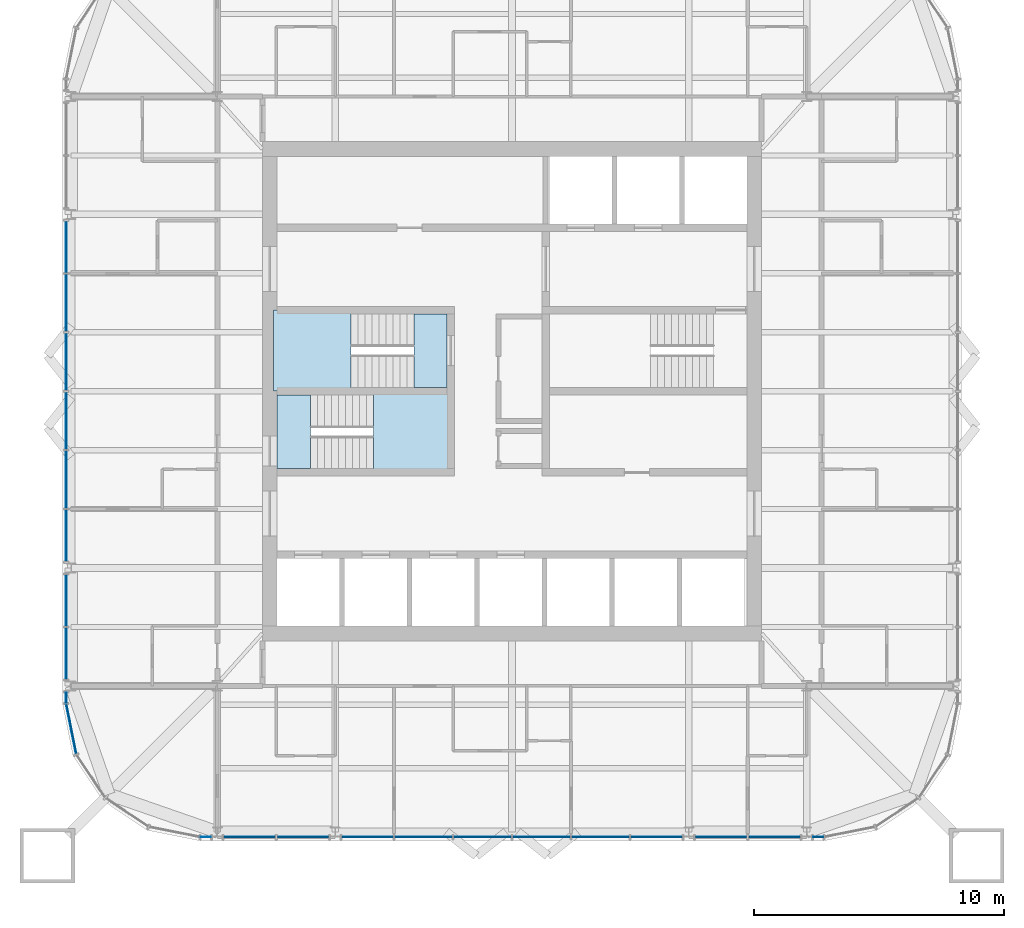
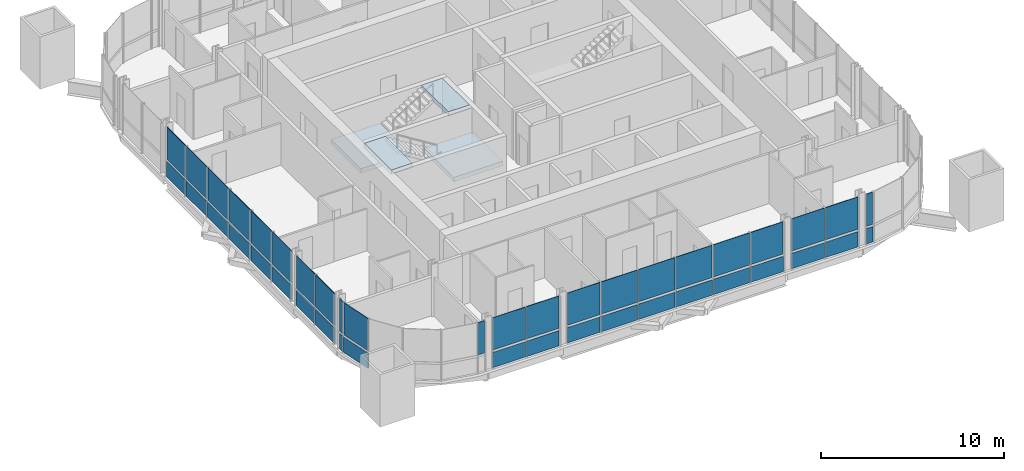
# One storey, part 8 of 17: 43 plates, 4 slabs, 11 elements without a shape of their own.
"""IFC4 building model written with IfcOpenShell, lengths in metres."""

from ifc_helpers import new_model, si_unit, direction, frame, origin, origin_2d, place, context, subcontext, project, spatial, polyline, rectangle, outline, extrude, material, layer, layer_set, type_object, element, aggregate, save


model = new_model("IFC4")

# Units and contexts
model_context = context("Model", 3, precision=1e-05, world=origin(), true_north=direction((0.0, 1.0)))
body_context = subcontext(model_context, "Body", "Model", "MODEL_VIEW")
ifc_project = project(units=[si_unit("LENGTHUNIT", "METRE"), si_unit("AREAUNIT", "SQUARE_METRE"), si_unit("VOLUMEUNIT", "CUBIC_METRE"), si_unit("PLANEANGLEUNIT", "RADIAN"), si_unit("MASSUNIT", "GRAM", prefix="KILO")], contexts=[model_context])

# Site, building, storey
site_placement = place(None, origin())
site = spatial("IfcSite", under=ifc_project, at=site_placement, CompositionType="ELEMENT")
building_placement = place(site_placement, origin())
building = spatial("IfcBuilding", under=site, at=building_placement, Name="Turquesa Mirador Hotel Tower", CompositionType="ELEMENT")
storey_placement = place(building_placement, frame((0.0, 0.0, 251.199951171875)))
storey = spatial("IfcBuildingStorey", under=building, at=storey_placement, Name="L68", CompositionType="ELEMENT", Elevation=251.199951171875)

# Curtain wall, plates
ifc_material_1 = material(Name="Aluminium extrusion", Category="aluminium")
curtain_wall_type = type_object("IfcCurtainWallType", Name="CW-4 SUITE FRITTED CURTAIN WALL", PredefinedType="USERDEFINED", material=ifc_material_1)
curtain_wall_1_placement = place(storey_placement, origin())
curtain_wall_1 = element("IfcCurtainWall", 1, at=curtain_wall_1_placement, inside=storey, type_object=curtain_wall_type, Name="CW-4 SUITE FRITTED CURTAIN WALL L68", ObjectType="CURTAIN WALL", PredefinedType="USERDEFINED")
ifc_material_2 = material(Name="Ceramic-printed spandrel glass on an insulated back pan", Category="glass")
ifc_layer_1 = layer(ifc_material_2, 0.050048828125)
ifc_layer_set_1 = layer_set([ifc_layer_1], Name="CW PANEL SPANDREL CERAMIC")
plate_type_1 = type_object("IfcPlateType", Name="CW PANEL SPANDREL CERAMIC", PredefinedType="CURTAIN_PANEL", material=ifc_layer_set_1)
plate_1_placement = place(storey_placement, frame((37.14990234375, 50.782958984375, 0.0), z_axis=(0.0, 0.0, 1.0), x_axis=(0.0, -1.0, 0.0)))
plate_1 = element("IfcPlate", 2, at=plate_1_placement, type_object=plate_type_1, Name="Panel", PredefinedType="CURTAIN_PANEL", context=body_context, shape_type="SweptSolid", body=[
    extrude(rectangle(XDim=2.06103515625, YDim=0.050048828125, at=origin_2d()), origin(), (0.0, 0.0, 1.0), 1.02490234375),
])
plate_2_placement = place(storey_placement, frame((37.14990234375, 48.5400390625, 0.0), z_axis=(0.0, 0.0, 1.0), x_axis=(0.0, -1.0, 0.0)))
plate_2 = element("IfcPlate", 3, at=plate_2_placement, type_object=plate_type_1, Name="Panel", PredefinedType="CURTAIN_PANEL", context=body_context, shape_type="SweptSolid", body=[
    extrude(rectangle(XDim=2.294921875, YDim=0.050048828125, at=origin_2d()), origin(), (0.0, 0.0, 1.0), 1.02490234375),
])
plate_3_placement = place(storey_placement, frame((37.14990234375, 46.179931640625, 0.0), z_axis=(0.0, 0.0, 1.0), x_axis=(0.0, -1.0, 0.0)))
plate_3 = element("IfcPlate", 4, at=plate_3_placement, type_object=plate_type_1, Name="Panel", PredefinedType="CURTAIN_PANEL", context=body_context, shape_type="SweptSolid", body=[
    extrude(rectangle(XDim=2.294921875, YDim=0.050048828125, at=origin_2d()), origin(), (0.0, 0.0, 1.0), 1.02490234375),
])
plate_4_placement = place(storey_placement, frame((37.14990234375, 43.820068359375, 0.0), z_axis=(0.0, 0.0, 1.0), x_axis=(0.0, -1.0, 0.0)))
plate_4 = element("IfcPlate", 5, at=plate_4_placement, type_object=plate_type_1, Name="Panel", PredefinedType="CURTAIN_PANEL", context=body_context, shape_type="SweptSolid", body=[
    extrude(rectangle(XDim=2.294921875, YDim=0.050048828125, at=origin_2d()), origin(), (0.0, 0.0, 1.0), 1.02490234375),
])
plate_5_placement = place(storey_placement, frame((37.14990234375, 41.4599609375, 0.0), z_axis=(0.0, 0.0, 1.0), x_axis=(0.0, -1.0, 0.0)))
plate_5 = element("IfcPlate", 6, at=plate_5_placement, type_object=plate_type_1, Name="Panel", PredefinedType="CURTAIN_PANEL", context=body_context, shape_type="SweptSolid", body=[
    extrude(rectangle(XDim=2.294921875, YDim=0.050048828125, at=origin_2d()), origin(), (0.0, 0.0, 1.0), 1.02490234375),
])
plate_6_placement = place(storey_placement, frame((37.14990234375, 39.217041015625, 0.0), z_axis=(0.0, 0.0, 1.0), x_axis=(0.0, -1.0, 0.0)))
plate_6 = element("IfcPlate", 7, at=plate_6_placement, type_object=plate_type_1, Name="Panel", PredefinedType="CURTAIN_PANEL", context=body_context, shape_type="SweptSolid", body=[
    extrude(rectangle(XDim=2.06103515625, YDim=0.050048828125, at=origin_2d()), origin(), (0.0, 0.0, 1.0), 1.02490234375),
])

curtain_wall_2_placement = place(storey_placement, origin())
curtain_wall_2 = element("IfcCurtainWall", 8, at=curtain_wall_2_placement, inside=storey, type_object=curtain_wall_type, Name="CW-4 SUITE FRITTED CURTAIN WALL L68", ObjectType="CURTAIN WALL", PredefinedType="USERDEFINED")
plate_7_placement = place(storey_placement, frame((37.14990234375, 36.623046875, 0.0), z_axis=(0.0, 0.0, 1.0), x_axis=(0.0, -1.0, 0.0)))
plate_7 = element("IfcPlate", 9, at=plate_7_placement, type_object=plate_type_1, Name="Panel", PredefinedType="CURTAIN_PANEL", context=body_context, shape_type="SweptSolid", body=[
    extrude(rectangle(XDim=2.06103515625, YDim=0.050048828125, at=origin_2d()), origin(), (0.0, 0.0, 1.0), 1.02490234375),
])
plate_8_placement = place(storey_placement, frame((37.14990234375, 34.496826171875, 0.0), z_axis=(0.0, 0.0, 1.0), x_axis=(0.0, -1.0, 0.0)))
plate_8 = element("IfcPlate", 10, at=plate_8_placement, type_object=plate_type_1, Name="Panel", PredefinedType="CURTAIN_PANEL", context=body_context, shape_type="SweptSolid", body=[
    extrude(rectangle(XDim=2.06103515625, YDim=0.050048828125, at=origin_2d()), origin(), (0.0, 0.0, 1.0), 1.02490234375),
])

# Curtain wall, plate
curtain_wall_3_placement = place(storey_placement, origin())
curtain_wall_3 = element("IfcCurtainWall", 11, at=curtain_wall_3_placement, inside=storey, type_object=curtain_wall_type, Name="CW-4 SUITE FRITTED CURTAIN WALL L68", ObjectType="CURTAIN WALL", PredefinedType="USERDEFINED")
plate_9_placement = place(storey_placement, frame((37.14990234375, 32.733154296875, 0.0), z_axis=(0.0, 0.0, 1.0), x_axis=(0.0, -1.0, 0.0)))
plate_9 = element("IfcPlate", 12, at=plate_9_placement, type_object=plate_type_1, Name="Panel", PredefinedType="CURTAIN_PANEL", context=body_context, shape_type="SweptSolid", body=[
    extrude(rectangle(XDim=0.401123046875, YDim=0.050048828125, at=origin_2d()), origin(), (0.0, 0.0, 1.0), 1.02490234375),
])

curtain_wall_4_placement = place(storey_placement, origin())
curtain_wall_4 = element("IfcCurtainWall", 13, at=curtain_wall_4_placement, inside=storey, type_object=curtain_wall_type, Name="CW-4 SUITE FRITTED CURTAIN WALL L68", ObjectType="CURTAIN WALL", PredefinedType="USERDEFINED")
plate_10_placement = place(storey_placement, frame((37.353515625, 31.476318359375, 0.0), z_axis=(0.0, 0.0, 1.0), x_axis=(0.195090585221, -0.980785228048, 0.0)))
plate_10 = element("IfcPlate", 14, at=plate_10_placement, type_object=plate_type_1, Name="Panel", PredefinedType="CURTAIN_PANEL", context=body_context, shape_type="SweptSolid", body=[
    extrude(rectangle(XDim=2.0224609375, YDim=0.050048828125, at=origin_2d()), origin(), (0.0, 0.0, 1.0), 1.02490234375),
])

# Curtain wall, plates
curtain_wall_5_placement = place(storey_placement, origin())
curtain_wall_5 = element("IfcCurtainWall", 15, at=curtain_wall_5_placement, inside=storey, type_object=curtain_wall_type, Name="CW-4 SUITE FRITTED CURTAIN WALL L68", ObjectType="CURTAIN WALL", PredefinedType="USERDEFINED")
plate_11_placement = place(storey_placement, frame((44.496826171875, 27.14990234375, 0.0), z_axis=(0.0, 0.0, 1.0), x_axis=(1.0, 0.0, 0.0)))
plate_11 = element("IfcPlate", 16, at=plate_11_placement, type_object=plate_type_1, Name="Panel", PredefinedType="CURTAIN_PANEL", context=body_context, shape_type="SweptSolid", body=[
    extrude(rectangle(XDim=2.06103515625, YDim=0.050048828125, at=origin_2d()), origin(), (0.0, 0.0, 1.0), 1.02490234375),
])
plate_12_placement = place(storey_placement, frame((46.623046875, 27.14990234375, 0.0), z_axis=(0.0, 0.0, 1.0), x_axis=(1.0, 0.0, 0.0)))
plate_12 = element("IfcPlate", 17, at=plate_12_placement, type_object=plate_type_1, Name="Panel", PredefinedType="CURTAIN_PANEL", context=body_context, shape_type="SweptSolid", body=[
    extrude(rectangle(XDim=2.06103515625, YDim=0.050048828125, at=origin_2d()), origin(), (0.0, 0.0, 1.0), 1.02490234375),
])

curtain_wall_6_placement = place(storey_placement, origin())
curtain_wall_6 = element("IfcCurtainWall", 18, at=curtain_wall_6_placement, inside=storey, type_object=curtain_wall_type, Name="CW-4 SUITE FRITTED CURTAIN WALL L68", ObjectType="CURTAIN WALL", PredefinedType="USERDEFINED")
plate_13_placement = place(storey_placement, frame((49.217041015625, 27.14990234375, 0.0), z_axis=(0.0, 0.0, 1.0), x_axis=(1.0, 0.0, 0.0)))
plate_13 = element("IfcPlate", 19, at=plate_13_placement, type_object=plate_type_1, Name="Panel", PredefinedType="CURTAIN_PANEL", context=body_context, shape_type="SweptSolid", body=[
    extrude(rectangle(XDim=2.06103515625, YDim=0.050048828125, at=origin_2d()), origin(), (0.0, 0.0, 1.0), 1.02490234375),
])
plate_14_placement = place(storey_placement, frame((51.4599609375, 27.14990234375, 0.0), z_axis=(0.0, 0.0, 1.0), x_axis=(1.0, 0.0, 0.0)))
plate_14 = element("IfcPlate", 20, at=plate_14_placement, type_object=plate_type_1, Name="Panel", PredefinedType="CURTAIN_PANEL", context=body_context, shape_type="SweptSolid", body=[
    extrude(rectangle(XDim=2.294921875, YDim=0.050048828125, at=origin_2d()), origin(), (0.0, 0.0, 1.0), 1.02490234375),
])
plate_15_placement = place(storey_placement, frame((53.820068359375, 27.14990234375, 0.0), z_axis=(0.0, 0.0, 1.0), x_axis=(1.0, 0.0, 0.0)))
plate_15 = element("IfcPlate", 21, at=plate_15_placement, type_object=plate_type_1, Name="Panel", PredefinedType="CURTAIN_PANEL", context=body_context, shape_type="SweptSolid", body=[
    extrude(rectangle(XDim=2.294921875, YDim=0.050048828125, at=origin_2d()), origin(), (0.0, 0.0, 1.0), 1.02490234375),
])
plate_16_placement = place(storey_placement, frame((56.179931640625, 27.14990234375, 0.0), z_axis=(0.0, 0.0, 1.0), x_axis=(1.0, 0.0, 0.0)))
plate_16 = element("IfcPlate", 22, at=plate_16_placement, type_object=plate_type_1, Name="Panel", PredefinedType="CURTAIN_PANEL", context=body_context, shape_type="SweptSolid", body=[
    extrude(rectangle(XDim=2.294921875, YDim=0.050048828125, at=origin_2d()), origin(), (0.0, 0.0, 1.0), 1.02490234375),
])
plate_17_placement = place(storey_placement, frame((58.5400390625, 27.14990234375, 0.0), z_axis=(0.0, 0.0, 1.0), x_axis=(1.0, 0.0, 0.0)))
plate_17 = element("IfcPlate", 23, at=plate_17_placement, type_object=plate_type_1, Name="Panel", PredefinedType="CURTAIN_PANEL", context=body_context, shape_type="SweptSolid", body=[
    extrude(rectangle(XDim=2.294921875, YDim=0.050048828125, at=origin_2d()), origin(), (0.0, 0.0, 1.0), 1.02490234375),
])
plate_18_placement = place(storey_placement, frame((60.782958984375, 27.14990234375, 0.0), z_axis=(0.0, 0.0, 1.0), x_axis=(1.0, 0.0, 0.0)))
plate_18 = element("IfcPlate", 24, at=plate_18_placement, type_object=plate_type_1, Name="Panel", PredefinedType="CURTAIN_PANEL", context=body_context, shape_type="SweptSolid", body=[
    extrude(rectangle(XDim=2.06103515625, YDim=0.050048828125, at=origin_2d()), origin(), (0.0, 0.0, 1.0), 1.02490234375),
])

curtain_wall_7_placement = place(storey_placement, origin())
curtain_wall_7 = element("IfcCurtainWall", 25, at=curtain_wall_7_placement, inside=storey, type_object=curtain_wall_type, Name="CW-4 SUITE FRITTED CURTAIN WALL L68", ObjectType="CURTAIN WALL", PredefinedType="USERDEFINED")
plate_19_placement = place(storey_placement, frame((63.376953125, 27.14990234375, 0.0), z_axis=(0.0, 0.0, 1.0), x_axis=(1.0, 0.0, 0.0)))
plate_19 = element("IfcPlate", 26, at=plate_19_placement, type_object=plate_type_1, Name="Panel", PredefinedType="CURTAIN_PANEL", context=body_context, shape_type="SweptSolid", body=[
    extrude(rectangle(XDim=2.06103515625, YDim=0.050048828125, at=origin_2d()), origin(), (0.0, 0.0, 1.0), 1.02490234375),
])
plate_20_placement = place(storey_placement, frame((65.503173828125, 27.14990234375, 0.0), z_axis=(0.0, 0.0, 1.0), x_axis=(1.0, 0.0, 0.0)))
plate_20 = element("IfcPlate", 27, at=plate_20_placement, type_object=plate_type_1, Name="Panel", PredefinedType="CURTAIN_PANEL", context=body_context, shape_type="SweptSolid", body=[
    extrude(rectangle(XDim=2.06103515625, YDim=0.050048828125, at=origin_2d()), origin(), (0.0, 0.0, 1.0), 1.02490234375),
])

# Curtain wall, plate
curtain_wall_8_placement = place(storey_placement, origin())
curtain_wall_8 = element("IfcCurtainWall", 28, at=curtain_wall_8_placement, inside=storey, type_object=curtain_wall_type, Name="CW-4 SUITE FRITTED CURTAIN WALL L68", ObjectType="CURTAIN WALL", PredefinedType="USERDEFINED")
plate_21_placement = place(storey_placement, frame((67.266845703125, 27.14990234375, 0.0), z_axis=(0.0, 0.0, 1.0), x_axis=(1.0, 0.0, 0.0)))
plate_21 = element("IfcPlate", 29, at=plate_21_placement, type_object=plate_type_1, Name="Panel", PredefinedType="CURTAIN_PANEL", context=body_context, shape_type="SweptSolid", body=[
    extrude(rectangle(XDim=0.401123046875, YDim=0.050048828125, at=origin_2d()), origin(), (0.0, 0.0, 1.0), 1.02490234375),
])

# Plate
ifc_material_3 = material(Name="Ceramic-fritted laminated glass", Category="glass")
ifc_layer_2 = layer(ifc_material_3, 0.031982421875)
ifc_layer_set_2 = layer_set([ifc_layer_2], Name="CW PANEL VISION FRITTED")
plate_type_2 = type_object("IfcPlateType", Name="CW PANEL VISION FRITTED", PredefinedType="CURTAIN_PANEL", material=ifc_layer_set_2)
plate_22_placement = place(storey_placement, frame((37.14990234375, 50.782958984375, 1.1748046875), z_axis=(0.0, 0.0, 1.0), x_axis=(0.0, -1.0, 0.0)))
plate_22 = element("IfcPlate", 30, at=plate_22_placement, type_object=plate_type_2, Name="Panel", PredefinedType="CURTAIN_PANEL", context=body_context, shape_type="SweptSolid", body=[
    extrude(rectangle(XDim=2.06103515625, YDim=0.031982421875, at=origin_2d()), origin(), (0.0, 0.0, 1.0), 2.155029296875),
])

plate_23_placement = place(storey_placement, frame((37.14990234375, 48.5400390625, 1.1748046875), z_axis=(0.0, 0.0, 1.0), x_axis=(0.0, -1.0, 0.0)))
plate_23 = element("IfcPlate", 31, at=plate_23_placement, type_object=plate_type_2, Name="Panel", PredefinedType="CURTAIN_PANEL", context=body_context, shape_type="SweptSolid", body=[
    extrude(rectangle(XDim=2.294921875, YDim=0.031982421875, at=origin_2d()), origin(), (0.0, 0.0, 1.0), 2.155029296875),
])

plate_24_placement = place(storey_placement, frame((37.14990234375, 46.179931640625, 1.1748046875), z_axis=(0.0, 0.0, 1.0), x_axis=(0.0, -1.0, 0.0)))
plate_24 = element("IfcPlate", 32, at=plate_24_placement, type_object=plate_type_2, Name="Panel", PredefinedType="CURTAIN_PANEL", context=body_context, shape_type="SweptSolid", body=[
    extrude(rectangle(XDim=2.294921875, YDim=0.031982421875, at=origin_2d()), origin(), (0.0, 0.0, 1.0), 2.155029296875),
])

plate_25_placement = place(storey_placement, frame((37.14990234375, 43.820068359375, 1.1748046875), z_axis=(0.0, 0.0, 1.0), x_axis=(0.0, -1.0, 0.0)))
plate_25 = element("IfcPlate", 33, at=plate_25_placement, type_object=plate_type_2, Name="Panel", PredefinedType="CURTAIN_PANEL", context=body_context, shape_type="SweptSolid", body=[
    extrude(rectangle(XDim=2.294921875, YDim=0.031982421875, at=origin_2d()), origin(), (0.0, 0.0, 1.0), 2.155029296875),
])

plate_26_placement = place(storey_placement, frame((37.14990234375, 41.4599609375, 1.1748046875), z_axis=(0.0, 0.0, 1.0), x_axis=(0.0, -1.0, 0.0)))
plate_26 = element("IfcPlate", 34, at=plate_26_placement, type_object=plate_type_2, Name="Panel", PredefinedType="CURTAIN_PANEL", context=body_context, shape_type="SweptSolid", body=[
    extrude(rectangle(XDim=2.294921875, YDim=0.031982421875, at=origin_2d()), origin(), (0.0, 0.0, 1.0), 2.155029296875),
])

plate_27_placement = place(storey_placement, frame((37.14990234375, 39.217041015625, 1.1748046875), z_axis=(0.0, 0.0, 1.0), x_axis=(0.0, -1.0, 0.0)))
plate_27 = element("IfcPlate", 35, at=plate_27_placement, type_object=plate_type_2, Name="Panel", PredefinedType="CURTAIN_PANEL", context=body_context, shape_type="SweptSolid", body=[
    extrude(rectangle(XDim=2.06103515625, YDim=0.031982421875, at=origin_2d()), origin(), (0.0, 0.0, 1.0), 2.155029296875),
])

aggregate(curtain_wall_1, [plate_1, plate_22, plate_2, plate_23, plate_3, plate_24, plate_4, plate_25, plate_5, plate_26, plate_6, plate_27])

plate_28_placement = place(storey_placement, frame((37.14990234375, 36.623046875, 1.1748046875), z_axis=(0.0, 0.0, 1.0), x_axis=(0.0, -1.0, 0.0)))
plate_28 = element("IfcPlate", 36, at=plate_28_placement, type_object=plate_type_2, Name="Panel", PredefinedType="CURTAIN_PANEL", context=body_context, shape_type="SweptSolid", body=[
    extrude(rectangle(XDim=2.06103515625, YDim=0.031982421875, at=origin_2d()), origin(), (0.0, 0.0, 1.0), 2.155029296875),
])

plate_29_placement = place(storey_placement, frame((37.14990234375, 34.496826171875, 1.1748046875), z_axis=(0.0, 0.0, 1.0), x_axis=(0.0, -1.0, 0.0)))
plate_29 = element("IfcPlate", 37, at=plate_29_placement, type_object=plate_type_2, Name="Panel", PredefinedType="CURTAIN_PANEL", context=body_context, shape_type="SweptSolid", body=[
    extrude(rectangle(XDim=2.06103515625, YDim=0.031982421875, at=origin_2d()), origin(), (0.0, 0.0, 1.0), 2.155029296875),
])

aggregate(curtain_wall_2, [plate_7, plate_28, plate_8, plate_29])

plate_30_placement = place(storey_placement, frame((37.14990234375, 32.733154296875, 1.1748046875), z_axis=(0.0, 0.0, 1.0), x_axis=(0.0, -1.0, 0.0)))
plate_30 = element("IfcPlate", 38, at=plate_30_placement, type_object=plate_type_2, Name="Panel", PredefinedType="CURTAIN_PANEL", context=body_context, shape_type="SweptSolid", body=[
    extrude(rectangle(XDim=0.401123046875, YDim=0.031982421875, at=origin_2d()), origin(), (0.0, 0.0, 1.0), 2.155029296875),
])

aggregate(curtain_wall_3, [plate_9, plate_30])

plate_31_placement = place(storey_placement, frame((37.353515625, 31.476318359375, 1.1748046875), z_axis=(0.0, 0.0, 1.0), x_axis=(0.195090585221, -0.980785228048, 0.0)))
plate_31 = element("IfcPlate", 39, at=plate_31_placement, type_object=plate_type_2, Name="Panel", PredefinedType="CURTAIN_PANEL", context=body_context, shape_type="SweptSolid", body=[
    extrude(rectangle(XDim=2.0224609375, YDim=0.031982421875, at=origin_2d()), origin(), (0.0, 0.0, 1.0), 2.155029296875),
])

aggregate(curtain_wall_4, [plate_10, plate_31])

# Curtain wall, plate
curtain_wall_9_placement = place(storey_placement, origin())
curtain_wall_9 = element("IfcCurtainWall", 40, at=curtain_wall_9_placement, inside=storey, type_object=curtain_wall_type, Name="CW-4 SUITE FRITTED CURTAIN WALL L68", ObjectType="CURTAIN WALL", PredefinedType="USERDEFINED")
plate_32_placement = place(storey_placement, frame((42.733154296875, 27.14990234375, 1.1748046875), z_axis=(0.0, 0.0, 1.0), x_axis=(1.0, 0.0, 0.0)))
plate_32 = element("IfcPlate", 41, at=plate_32_placement, type_object=plate_type_2, Name="Panel", PredefinedType="CURTAIN_PANEL", context=body_context, shape_type="SweptSolid", body=[
    extrude(rectangle(XDim=0.401123046875, YDim=0.031982421875, at=origin_2d()), origin(), (0.0, 0.0, 1.0), 2.155029296875),
])
aggregate(curtain_wall_9, [plate_32])

# Plate
plate_33_placement = place(storey_placement, frame((44.496826171875, 27.14990234375, 1.1748046875), z_axis=(0.0, 0.0, 1.0), x_axis=(1.0, 0.0, 0.0)))
plate_33 = element("IfcPlate", 42, at=plate_33_placement, type_object=plate_type_2, Name="Panel", PredefinedType="CURTAIN_PANEL", context=body_context, shape_type="SweptSolid", body=[
    extrude(rectangle(XDim=2.06103515625, YDim=0.031982421875, at=origin_2d()), origin(), (0.0, 0.0, 1.0), 2.155029296875),
])

plate_34_placement = place(storey_placement, frame((46.623046875, 27.14990234375, 1.1748046875), z_axis=(0.0, 0.0, 1.0), x_axis=(1.0, 0.0, 0.0)))
plate_34 = element("IfcPlate", 43, at=plate_34_placement, type_object=plate_type_2, Name="Panel", PredefinedType="CURTAIN_PANEL", context=body_context, shape_type="SweptSolid", body=[
    extrude(rectangle(XDim=2.06103515625, YDim=0.031982421875, at=origin_2d()), origin(), (0.0, 0.0, 1.0), 2.155029296875),
])

aggregate(curtain_wall_5, [plate_11, plate_33, plate_12, plate_34])

plate_35_placement = place(storey_placement, frame((49.217041015625, 27.14990234375, 1.1748046875), z_axis=(0.0, 0.0, 1.0), x_axis=(1.0, 0.0, 0.0)))
plate_35 = element("IfcPlate", 44, at=plate_35_placement, type_object=plate_type_2, Name="Panel", PredefinedType="CURTAIN_PANEL", context=body_context, shape_type="SweptSolid", body=[
    extrude(rectangle(XDim=2.06103515625, YDim=0.031982421875, at=origin_2d()), origin(), (0.0, 0.0, 1.0), 2.155029296875),
])

plate_36_placement = place(storey_placement, frame((51.4599609375, 27.14990234375, 1.1748046875), z_axis=(0.0, 0.0, 1.0), x_axis=(1.0, 0.0, 0.0)))
plate_36 = element("IfcPlate", 45, at=plate_36_placement, type_object=plate_type_2, Name="Panel", PredefinedType="CURTAIN_PANEL", context=body_context, shape_type="SweptSolid", body=[
    extrude(rectangle(XDim=2.294921875, YDim=0.031982421875, at=origin_2d()), origin(), (0.0, 0.0, 1.0), 2.155029296875),
])

plate_37_placement = place(storey_placement, frame((53.820068359375, 27.14990234375, 1.1748046875), z_axis=(0.0, 0.0, 1.0), x_axis=(1.0, 0.0, 0.0)))
plate_37 = element("IfcPlate", 46, at=plate_37_placement, type_object=plate_type_2, Name="Panel", PredefinedType="CURTAIN_PANEL", context=body_context, shape_type="SweptSolid", body=[
    extrude(rectangle(XDim=2.294921875, YDim=0.031982421875, at=origin_2d()), origin(), (0.0, 0.0, 1.0), 2.155029296875),
])

plate_38_placement = place(storey_placement, frame((56.179931640625, 27.14990234375, 1.1748046875), z_axis=(0.0, 0.0, 1.0), x_axis=(1.0, 0.0, 0.0)))
plate_38 = element("IfcPlate", 47, at=plate_38_placement, type_object=plate_type_2, Name="Panel", PredefinedType="CURTAIN_PANEL", context=body_context, shape_type="SweptSolid", body=[
    extrude(rectangle(XDim=2.294921875, YDim=0.031982421875, at=origin_2d()), origin(), (0.0, 0.0, 1.0), 2.155029296875),
])

plate_39_placement = place(storey_placement, frame((58.5400390625, 27.14990234375, 1.1748046875), z_axis=(0.0, 0.0, 1.0), x_axis=(1.0, 0.0, 0.0)))
plate_39 = element("IfcPlate", 48, at=plate_39_placement, type_object=plate_type_2, Name="Panel", PredefinedType="CURTAIN_PANEL", context=body_context, shape_type="SweptSolid", body=[
    extrude(rectangle(XDim=2.294921875, YDim=0.031982421875, at=origin_2d()), origin(), (0.0, 0.0, 1.0), 2.155029296875),
])

plate_40_placement = place(storey_placement, frame((60.782958984375, 27.14990234375, 1.1748046875), z_axis=(0.0, 0.0, 1.0), x_axis=(1.0, 0.0, 0.0)))
plate_40 = element("IfcPlate", 49, at=plate_40_placement, type_object=plate_type_2, Name="Panel", PredefinedType="CURTAIN_PANEL", context=body_context, shape_type="SweptSolid", body=[
    extrude(rectangle(XDim=2.06103515625, YDim=0.031982421875, at=origin_2d()), origin(), (0.0, 0.0, 1.0), 2.155029296875),
])

aggregate(curtain_wall_6, [plate_13, plate_35, plate_14, plate_36, plate_15, plate_37, plate_16, plate_38, plate_17, plate_39, plate_18, plate_40])

plate_41_placement = place(storey_placement, frame((63.376953125, 27.14990234375, 1.1748046875), z_axis=(0.0, 0.0, 1.0), x_axis=(1.0, 0.0, 0.0)))
plate_41 = element("IfcPlate", 50, at=plate_41_placement, type_object=plate_type_2, Name="Panel", PredefinedType="CURTAIN_PANEL", context=body_context, shape_type="SweptSolid", body=[
    extrude(rectangle(XDim=2.06103515625, YDim=0.031982421875, at=origin_2d()), origin(), (0.0, 0.0, 1.0), 2.155029296875),
])

plate_42_placement = place(storey_placement, frame((65.503173828125, 27.14990234375, 1.1748046875), z_axis=(0.0, 0.0, 1.0), x_axis=(1.0, 0.0, 0.0)))
plate_42 = element("IfcPlate", 51, at=plate_42_placement, type_object=plate_type_2, Name="Panel", PredefinedType="CURTAIN_PANEL", context=body_context, shape_type="SweptSolid", body=[
    extrude(rectangle(XDim=2.06103515625, YDim=0.031982421875, at=origin_2d()), origin(), (0.0, 0.0, 1.0), 2.155029296875),
])

aggregate(curtain_wall_7, [plate_19, plate_41, plate_20, plate_42])

plate_43_placement = place(storey_placement, frame((67.266845703125, 27.14990234375, 1.1748046875), z_axis=(0.0, 0.0, 1.0), x_axis=(1.0, 0.0, 0.0)))
plate_43 = element("IfcPlate", 52, at=plate_43_placement, type_object=plate_type_2, Name="Panel", PredefinedType="CURTAIN_PANEL", context=body_context, shape_type="SweptSolid", body=[
    extrude(rectangle(XDim=0.401123046875, YDim=0.031982421875, at=origin_2d()), origin(), (0.0, 0.0, 1.0), 2.155029296875),
])

aggregate(curtain_wall_8, [plate_21, plate_43])

# Stair, slabs
ifc_material_4 = material(Name="Concrete C35/45", Category="concrete")
stair_type = type_object("IfcStairType", Name="ESCAPE STAIR CORE", PredefinedType="HALF_TURN_STAIR", material=ifc_material_4)
stair_1_placement = place(storey_placement, origin())
stair_1 = element("IfcStair", 53, at=stair_1_placement, inside=storey, type_object=stair_type, Name="Stair ST1 L68 to L69", PredefinedType="HALF_TURN_STAIR")
ifc_material_5 = material(Name="Concrete C35/45", Category="concrete")
ifc_layer_3 = layer(ifc_material_5, 0.300048828125)
ifc_layer_set_3 = layer_set([ifc_layer_3], Name="STAIR LANDING 300")
slab_type = type_object("IfcSlabType", Name="STAIR LANDING 300", PredefinedType="LANDING", material=ifc_layer_set_3)
slab_1_placement = place(storey_placement, frame((0.0, 0.0, 1.449951171875)))
slab_1 = element("IfcSlab", 54, at=slab_1_placement, type_object=slab_type, Name="ST1 landing 1", PredefinedType="LANDING", context=body_context, shape_type="SweptSolid", body=[
    extrude(outline(polyline([(45.449951171875, 45.0), (48.550048828125, 45.0), (48.550048828125, 48.25), (45.449951171875, 48.25), (45.449951171875, 45.0)])), origin(), (0.0, 0.0, 1.0), 0.300048828125),
])
slab_2_placement = place(storey_placement, frame((0.0, 0.0, 3.199951171875)))
slab_2 = element("IfcSlab", 55, at=slab_2_placement, type_object=slab_type, Name="ST1 landing 2", PredefinedType="LANDING", context=body_context, shape_type="SweptSolid", body=[
    extrude(outline(polyline([(51.070068359375, 45.14990234375), (52.39990234375, 45.14990234375), (52.39990234375, 48.10009765625), (51.070068359375, 48.10009765625), (51.070068359375, 45.14990234375)])), origin(), (0.0, 0.0, 1.0), 0.300048828125),
])
aggregate(stair_1, [slab_1, slab_2])

stair_2_placement = place(storey_placement, origin())
stair_2 = element("IfcStair", 56, at=stair_2_placement, inside=storey, type_object=stair_type, Name="Stair ST2 L68 to L69", PredefinedType="HALF_TURN_STAIR")
slab_3_placement = place(storey_placement, frame((0.0, 0.0, 1.449951171875)))
slab_3 = element("IfcSlab", 57, at=slab_3_placement, type_object=slab_type, Name="ST2 landing 1", PredefinedType="LANDING", context=body_context, shape_type="SweptSolid", body=[
    extrude(outline(polyline([(52.550048828125, 45.0), (49.449951171875, 45.0), (49.449951171875, 41.75), (52.550048828125, 41.75), (52.550048828125, 45.0)])), origin(), (0.0, 0.0, 1.0), 0.300048828125),
])
slab_4_placement = place(storey_placement, frame((0.0, 0.0, 3.199951171875)))
slab_4 = element("IfcSlab", 58, at=slab_4_placement, type_object=slab_type, Name="ST2 landing 2", PredefinedType="LANDING", context=body_context, shape_type="SweptSolid", body=[
    extrude(outline(polyline([(46.929931640625, 44.85009765625), (45.60009765625, 44.85009765625), (45.60009765625, 41.89990234375), (46.929931640625, 41.89990234375), (46.929931640625, 44.85009765625)])), origin(), (0.0, 0.0, 1.0), 0.300048828125),
])
aggregate(stair_2, [slab_3, slab_4])

save(model, "model.ifc")
